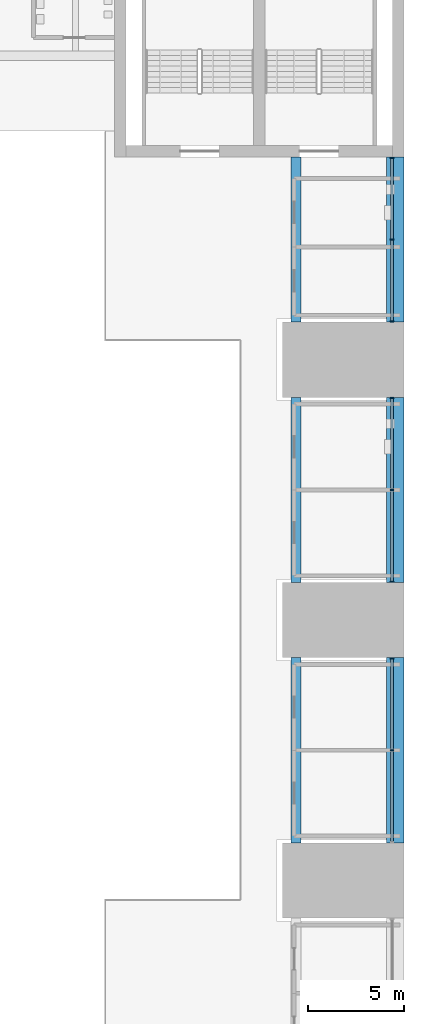
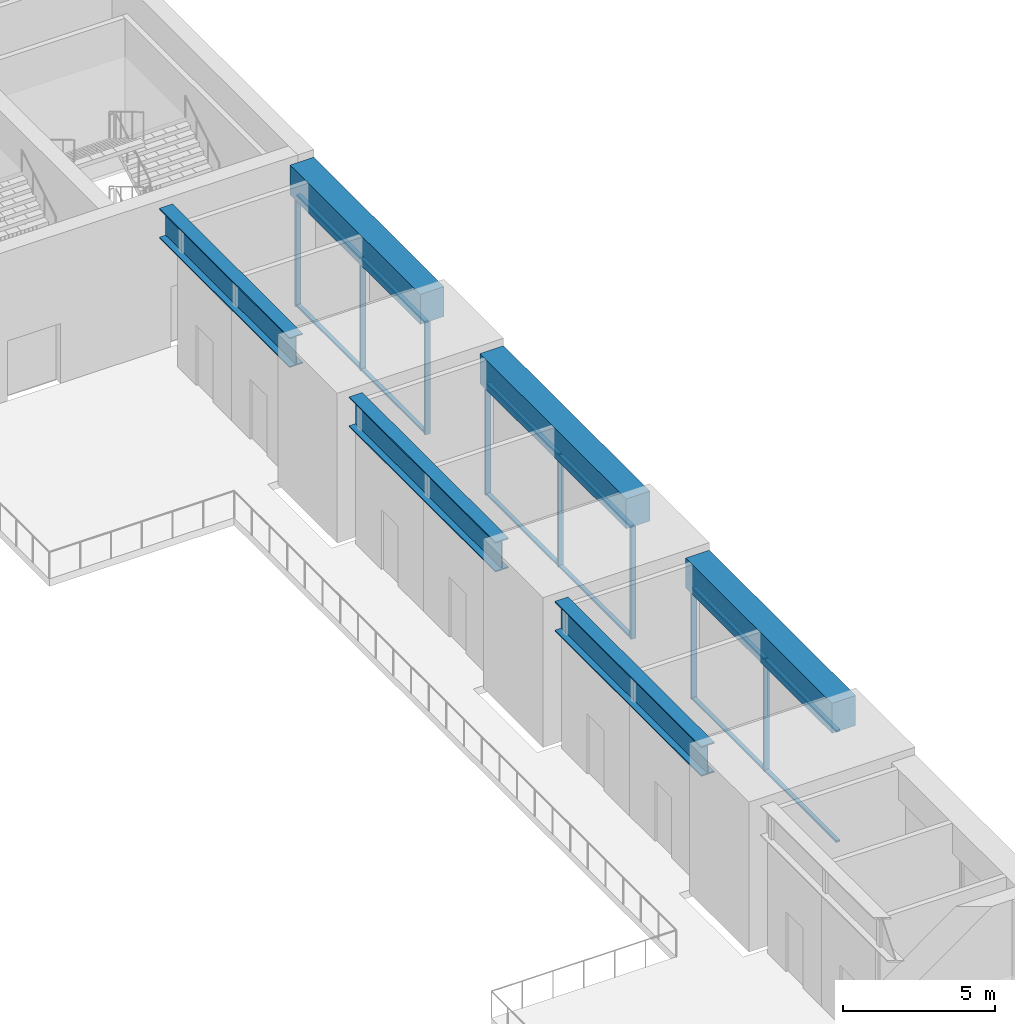
# One storey, part 7 of 41: 20 members, 6 beams, 3 elements without a shape of their own.
"""IFC4 building model written with IfcOpenShell, lengths in metres."""

from ifc_helpers import new_model, si_unit, direction, frame, origin, origin_2d, place, context, subcontext, project, spatial, rectangle, i_section, extrude, material, layer, layer_set, material_profile, profile_set, type_object, element, aggregate, save


model = new_model("IFC4")

# Units and contexts
model_context = context("Model", 3, precision=1e-05, world=origin(), true_north=direction((0.0, 1.0)))
body_context = subcontext(model_context, "Body", "Model", "MODEL_VIEW")
ifc_project = project(units=[si_unit("LENGTHUNIT", "METRE"), si_unit("AREAUNIT", "SQUARE_METRE"), si_unit("VOLUMEUNIT", "CUBIC_METRE"), si_unit("PLANEANGLEUNIT", "RADIAN"), si_unit("MASSUNIT", "GRAM", prefix="KILO")], contexts=[model_context])

# Site, building, storey
site_placement = place(None, origin())
site = spatial("IfcSite", under=ifc_project, at=site_placement, CompositionType="ELEMENT")
building_placement = place(site_placement, origin())
building = spatial("IfcBuilding", under=site, at=building_placement, Name="Corbelhall Arena Tower", CompositionType="ELEMENT")
storey_placement = place(building_placement, frame((0.0, 0.0, 19.0)))
storey = spatial("IfcBuildingStorey", under=building, at=storey_placement, Name="L02", CompositionType="ELEMENT", Elevation=19.0)

# Curtain wall, members
ifc_material_1 = material(Name="Aluminium black anodised", Category="aluminium")
ifc_layer = layer(ifc_material_1, 0.239990234375)
ifc_layer_set = layer_set([ifc_layer], Name="EV-CW4 Arena concourse glazing")
curtain_wall_type = type_object("IfcCurtainWallType", Name="EV-CW4 Arena concourse glazing", PredefinedType="NOTDEFINED", material=ifc_layer_set)
curtain_wall_1_placement = place(storey_placement, origin())
curtain_wall_1 = element("IfcCurtainWall", 1, at=curtain_wall_1_placement, inside=storey, type_object=curtain_wall_type, Name="Curtain wall CW4", PredefinedType="NOTDEFINED")
ifc_material_profile_1 = material_profile(ifc_material_1, rectangle(XDim=0.199951171875, YDim=0.074951171875, at=origin_2d()))
ifc_profile_set_1 = profile_set([ifc_material_profile_1], Name="Aluminium black anodised")
member_type_1 = type_object("IfcMemberType", Name="EV-CW4-MULLION", PredefinedType="MULLION", material=ifc_profile_set_1)
member_1_placement = place(storey_placement, frame((47.3798828125, -6.75, 0.0), z_axis=(0.0, 0.0, 1.0), x_axis=(-1.0, 0.0, 0.0)))
member_1 = element("IfcMember", 2, at=member_1_placement, type_object=member_type_1, Name="CW4 mullion 2", PredefinedType="MULLION", context=body_context, shape_type="SweptSolid", body=[
    extrude(rectangle(XDim=0.199951171875, YDim=0.074951171875, at=origin_2d()), origin(), (0.0, 0.0, 1.0), 4.5),
])
member_2_placement = place(storey_placement, frame((47.3798828125, -1.987548828125, 0.0), z_axis=(0.0, 0.0, 1.0), x_axis=(-1.0, 0.0, 0.0)))
member_2 = element("IfcMember", 3, at=member_2_placement, type_object=member_type_1, Name="CW4 mullion 3", PredefinedType="MULLION", context=body_context, shape_type="SweptSolid", body=[
    extrude(rectangle(XDim=0.199951171875, YDim=0.074951171875, at=origin_2d()), origin(), (0.0, 0.0, 1.0), 4.5),
])

curtain_wall_2_placement = place(storey_placement, origin())
curtain_wall_2 = element("IfcCurtainWall", 4, at=curtain_wall_2_placement, inside=storey, type_object=curtain_wall_type, Name="Curtain wall CW4", PredefinedType="NOTDEFINED")
member_3_placement = place(storey_placement, frame((47.3798828125, 1.987548828125, 0.0), z_axis=(0.0, 0.0, 1.0), x_axis=(-1.0, 0.0, 0.0)))
member_3 = element("IfcMember", 5, at=member_3_placement, type_object=member_type_1, Name="CW4 mullion 1", PredefinedType="MULLION", context=body_context, shape_type="SweptSolid", body=[
    extrude(rectangle(XDim=0.199951171875, YDim=0.074951171875, at=origin_2d()), origin(), (0.0, 0.0, 1.0), 4.5),
])
member_4_placement = place(storey_placement, frame((47.3798828125, 6.75, 0.0), z_axis=(0.0, 0.0, 1.0), x_axis=(-1.0, 0.0, 0.0)))
member_4 = element("IfcMember", 6, at=member_4_placement, type_object=member_type_1, Name="CW4 mullion 2", PredefinedType="MULLION", context=body_context, shape_type="SweptSolid", body=[
    extrude(rectangle(XDim=0.199951171875, YDim=0.074951171875, at=origin_2d()), origin(), (0.0, 0.0, 1.0), 4.5),
])
member_5_placement = place(storey_placement, frame((47.3798828125, 11.512451171875, 0.0), z_axis=(0.0, 0.0, 1.0), x_axis=(-1.0, 0.0, 0.0)))
member_5 = element("IfcMember", 7, at=member_5_placement, type_object=member_type_1, Name="CW4 mullion 3", PredefinedType="MULLION", context=body_context, shape_type="SweptSolid", body=[
    extrude(rectangle(XDim=0.199951171875, YDim=0.074951171875, at=origin_2d()), origin(), (0.0, 0.0, 1.0), 4.5),
])

curtain_wall_3_placement = place(storey_placement, origin())
curtain_wall_3 = element("IfcCurtainWall", 8, at=curtain_wall_3_placement, inside=storey, type_object=curtain_wall_type, Name="Curtain wall CW4B", PredefinedType="NOTDEFINED")
member_6_placement = place(storey_placement, frame((47.3798828125, 15.487548828125, 0.0), z_axis=(0.0, 0.0, 1.0), x_axis=(-1.0, 0.0, 0.0)))
member_6 = element("IfcMember", 9, at=member_6_placement, type_object=member_type_1, Name="CW4B mullion 1", PredefinedType="MULLION", context=body_context, shape_type="SweptSolid", body=[
    extrude(rectangle(XDim=0.199951171875, YDim=0.074951171875, at=origin_2d()), origin(), (0.0, 0.0, 1.0), 4.5),
])
member_7_placement = place(storey_placement, frame((47.3798828125, 19.72509765625, 0.0), z_axis=(0.0, 0.0, 1.0), x_axis=(-1.0, 0.0, 0.0)))
member_7 = element("IfcMember", 10, at=member_7_placement, type_object=member_type_1, Name="CW4B mullion 2", PredefinedType="MULLION", context=body_context, shape_type="SweptSolid", body=[
    extrude(rectangle(XDim=0.199951171875, YDim=0.074951171875, at=origin_2d()), origin(), (0.0, 0.0, 1.0), 4.5),
])
member_8_placement = place(storey_placement, frame((47.3798828125, 23.96240234375, 0.0), z_axis=(0.0, 0.0, 1.0), x_axis=(-1.0, 0.0, 0.0)))
member_8 = element("IfcMember", 11, at=member_8_placement, type_object=member_type_1, Name="CW4B mullion 3", PredefinedType="MULLION", context=body_context, shape_type="SweptSolid", body=[
    extrude(rectangle(XDim=0.199951171875, YDim=0.074951171875, at=origin_2d()), origin(), (0.0, 0.0, 1.0), 4.5),
])

# Member
ifc_material_profile_2 = material_profile(ifc_material_1, rectangle(XDim=0.14990234375, YDim=0.074951171875, at=origin_2d()))
ifc_profile_set_2 = profile_set([ifc_material_profile_2], Name="Aluminium black anodised")
member_type_2 = type_object("IfcMemberType", Name="EV-CW4-TRANSOM", PredefinedType="USERDEFINED", material=ifc_profile_set_2)
member_9_placement = place(storey_placement, frame((47.3798828125, -11.47509765625, 0.03759765625), z_axis=(0.0, 1.0, 0.0), x_axis=(-1.0, 0.0, 0.0)))
member_9 = element("IfcMember", 12, at=member_9_placement, type_object=member_type_2, Name="CW4 transom 1.1", ObjectType="transom", PredefinedType="USERDEFINED", context=body_context, shape_type="SweptSolid", body=[
    extrude(rectangle(XDim=0.14990234375, YDim=0.074951171875, at=origin_2d()), origin(), (0.0, 0.0, 1.0), 4.6875),
])

member_10_placement = place(storey_placement, frame((47.3798828125, -11.47509765625, 4.46240234375), z_axis=(0.0, 1.0, 0.0), x_axis=(-1.0, 0.0, 0.0)))
member_10 = element("IfcMember", 13, at=member_10_placement, type_object=member_type_2, Name="CW4 transom 1.2", ObjectType="transom", PredefinedType="USERDEFINED", context=body_context, shape_type="SweptSolid", body=[
    extrude(rectangle(XDim=0.14990234375, YDim=0.074951171875, at=origin_2d()), origin(), (0.0, 0.0, 1.0), 4.6875),
])

member_11_placement = place(storey_placement, frame((47.3798828125, -6.71240234375, 0.03759765625), z_axis=(0.0, 1.0, 0.0), x_axis=(-1.0, 0.0, 0.0)))
member_11 = element("IfcMember", 14, at=member_11_placement, type_object=member_type_2, Name="CW4 transom 2.1", ObjectType="transom", PredefinedType="USERDEFINED", context=body_context, shape_type="SweptSolid", body=[
    extrude(rectangle(XDim=0.14990234375, YDim=0.074951171875, at=origin_2d()), origin(), (0.0, 0.0, 1.0), 4.6875),
])

member_12_placement = place(storey_placement, frame((47.3798828125, -6.71240234375, 4.46240234375), z_axis=(0.0, 1.0, 0.0), x_axis=(-1.0, 0.0, 0.0)))
member_12 = element("IfcMember", 15, at=member_12_placement, type_object=member_type_2, Name="CW4 transom 2.2", ObjectType="transom", PredefinedType="USERDEFINED", context=body_context, shape_type="SweptSolid", body=[
    extrude(rectangle(XDim=0.14990234375, YDim=0.074951171875, at=origin_2d()), origin(), (0.0, 0.0, 1.0), 4.6875),
])

aggregate(curtain_wall_1, [member_1, member_2, member_9, member_10, member_11, member_12])

member_13_placement = place(storey_placement, frame((47.3798828125, 2.02490234375, 0.03759765625), z_axis=(0.0, 1.0, 0.0), x_axis=(-1.0, 0.0, 0.0)))
member_13 = element("IfcMember", 16, at=member_13_placement, type_object=member_type_2, Name="CW4 transom 1.1", ObjectType="transom", PredefinedType="USERDEFINED", context=body_context, shape_type="SweptSolid", body=[
    extrude(rectangle(XDim=0.14990234375, YDim=0.074951171875, at=origin_2d()), origin(), (0.0, 0.0, 1.0), 4.6875),
])

member_14_placement = place(storey_placement, frame((47.3798828125, 2.02490234375, 4.46240234375), z_axis=(0.0, 1.0, 0.0), x_axis=(-1.0, 0.0, 0.0)))
member_14 = element("IfcMember", 17, at=member_14_placement, type_object=member_type_2, Name="CW4 transom 1.2", ObjectType="transom", PredefinedType="USERDEFINED", context=body_context, shape_type="SweptSolid", body=[
    extrude(rectangle(XDim=0.14990234375, YDim=0.074951171875, at=origin_2d()), origin(), (0.0, 0.0, 1.0), 4.6875),
])

member_15_placement = place(storey_placement, frame((47.3798828125, 6.78759765625, 0.03759765625), z_axis=(0.0, 1.0, 0.0), x_axis=(-1.0, 0.0, 0.0)))
member_15 = element("IfcMember", 18, at=member_15_placement, type_object=member_type_2, Name="CW4 transom 2.1", ObjectType="transom", PredefinedType="USERDEFINED", context=body_context, shape_type="SweptSolid", body=[
    extrude(rectangle(XDim=0.14990234375, YDim=0.074951171875, at=origin_2d()), origin(), (0.0, 0.0, 1.0), 4.6875),
])

member_16_placement = place(storey_placement, frame((47.3798828125, 6.78759765625, 4.46240234375), z_axis=(0.0, 1.0, 0.0), x_axis=(-1.0, 0.0, 0.0)))
member_16 = element("IfcMember", 19, at=member_16_placement, type_object=member_type_2, Name="CW4 transom 2.2", ObjectType="transom", PredefinedType="USERDEFINED", context=body_context, shape_type="SweptSolid", body=[
    extrude(rectangle(XDim=0.14990234375, YDim=0.074951171875, at=origin_2d()), origin(), (0.0, 0.0, 1.0), 4.6875),
])

aggregate(curtain_wall_2, [member_3, member_4, member_5, member_13, member_14, member_15, member_16])

member_17_placement = place(storey_placement, frame((47.3798828125, 15.52490234375, 0.03759765625), z_axis=(0.0, 1.0, 0.0), x_axis=(-1.0, 0.0, 0.0)))
member_17 = element("IfcMember", 20, at=member_17_placement, type_object=member_type_2, Name="CW4B transom 1.1", ObjectType="transom", PredefinedType="USERDEFINED", context=body_context, shape_type="SweptSolid", body=[
    extrude(rectangle(XDim=0.14990234375, YDim=0.074951171875, at=origin_2d()), origin(), (0.0, 0.0, 1.0), 4.16259765625),
])

member_18_placement = place(storey_placement, frame((47.3798828125, 15.52490234375, 4.46240234375), z_axis=(0.0, 1.0, 0.0), x_axis=(-1.0, 0.0, 0.0)))
member_18 = element("IfcMember", 21, at=member_18_placement, type_object=member_type_2, Name="CW4B transom 1.2", ObjectType="transom", PredefinedType="USERDEFINED", context=body_context, shape_type="SweptSolid", body=[
    extrude(rectangle(XDim=0.14990234375, YDim=0.074951171875, at=origin_2d()), origin(), (0.0, 0.0, 1.0), 4.16259765625),
])

member_19_placement = place(storey_placement, frame((47.3798828125, 19.762451171875, 0.03759765625), z_axis=(0.0, 1.0, 0.0), x_axis=(-1.0, 0.0, 0.0)))
member_19 = element("IfcMember", 22, at=member_19_placement, type_object=member_type_2, Name="CW4B transom 2.1", ObjectType="transom", PredefinedType="USERDEFINED", context=body_context, shape_type="SweptSolid", body=[
    extrude(rectangle(XDim=0.14990234375, YDim=0.074951171875, at=origin_2d()), origin(), (0.0, 0.0, 1.0), 4.16259765625),
])

member_20_placement = place(storey_placement, frame((47.3798828125, 19.762451171875, 4.46240234375), z_axis=(0.0, 1.0, 0.0), x_axis=(-1.0, 0.0, 0.0)))
member_20 = element("IfcMember", 23, at=member_20_placement, type_object=member_type_2, Name="CW4B transom 2.2", ObjectType="transom", PredefinedType="USERDEFINED", context=body_context, shape_type="SweptSolid", body=[
    extrude(rectangle(XDim=0.14990234375, YDim=0.074951171875, at=origin_2d()), origin(), (0.0, 0.0, 1.0), 4.16259765625),
])

aggregate(curtain_wall_3, [member_6, member_7, member_8, member_17, member_18, member_19, member_20])

# Beams
ifc_material_2 = material(Name="Steel ASTM A572 Gr50", Category="steel")
ifc_material_profile_3 = material_profile(ifc_material_2, i_section(OverallWidth=0.5, OverallDepth=1.199951171875, WebThickness=0.02490234375, FlangeThickness=0.044921875, at=origin_2d()))
ifc_profile_set_3 = profile_set([ifc_material_profile_3], Name="Steel ASTM A572 Gr50")
beam_type_1 = type_object("IfcBeamType", Name="PO-GIRDER-PG1200X500X25X45", PredefinedType="BEAM", material=ifc_profile_set_3)
for number, where, z_axis, x_axis, name in (
    (24, (42.39990234375, -11.550048828125, 5.10009765625), (0.0, 1.0, 0.0), (-1.0, 0.0, 0.0), "INNER END GIRDER"),
    (25, (42.39990234375, 1.949951171875, 5.10009765625), (0.0, 1.0, 0.0), (-1.0, 0.0, 0.0), "INNER END GIRDER"),
):
    element("IfcBeam", number, at=place(storey_placement, frame(where, z_axis=z_axis, x_axis=x_axis)), inside=storey, type_object=beam_type_1, Name=name, PredefinedType="BEAM", context=body_context, shape_type="SweptSolid", body=[
        extrude(i_section(OverallWidth=0.5, OverallDepth=1.199951171875, WebThickness=0.02490234375, FlangeThickness=0.044921875, at=origin_2d()), origin(), (0.0, 0.0, 1.0), 9.60009765625),
    ])
beam_1_placement = place(storey_placement, frame((42.39990234375, 15.449951171875, 5.10009765625), z_axis=(0.0, 1.0, 0.0), x_axis=(-1.0, 0.0, 0.0)))
element("IfcBeam", 26, at=beam_1_placement, inside=storey, type_object=beam_type_1, Name="INNER END GIRDER", PredefinedType="BEAM", context=body_context, shape_type="SweptSolid", body=[
    extrude(i_section(OverallWidth=0.5, OverallDepth=1.199951171875, WebThickness=0.02490234375, FlangeThickness=0.044921875, at=origin_2d()), origin(), (0.0, 0.0, 1.0), 8.550048828125),
])
ifc_material_3 = material(Name="Concrete C80/95", Category="concrete")
ifc_material_profile_4 = material_profile(ifc_material_3, rectangle(XDim=0.89990234375, YDim=1.199951171875, at=origin_2d()))
ifc_profile_set_4 = profile_set([ifc_material_profile_4], Name="Concrete C80/95")
beam_type_2 = type_object("IfcBeamType", Name="PO-RING-BEAM", PredefinedType="BEAM", material=ifc_profile_set_4)
for number, where, z_axis, x_axis, name in (
    (27, (47.550048828125, -11.550048828125, 5.10009765625), (0.0, 1.0, 0.0), (-1.0, 0.0, 0.0), "RING GIRDER L03 E2"),
    (28, (47.550048828125, 1.949951171875, 5.10009765625), (0.0, 1.0, 0.0), (-1.0, 0.0, 0.0), "RING GIRDER L03 E3"),
):
    element("IfcBeam", number, at=place(storey_placement, frame(where, z_axis=z_axis, x_axis=x_axis)), inside=storey, type_object=beam_type_2, Name=name, PredefinedType="BEAM", context=body_context, shape_type="SweptSolid", body=[
        extrude(rectangle(XDim=0.89990234375, YDim=1.199951171875, at=origin_2d()), origin(), (0.0, 0.0, 1.0), 9.60009765625),
    ])
beam_2_placement = place(storey_placement, frame((47.550048828125, 15.449951171875, 5.10009765625), z_axis=(0.0, 1.0, 0.0), x_axis=(-1.0, 0.0, 0.0)))
element("IfcBeam", 29, at=beam_2_placement, inside=storey, type_object=beam_type_2, Name="RING GIRDER L03 E4", PredefinedType="BEAM", context=body_context, shape_type="SweptSolid", body=[
    extrude(rectangle(XDim=0.89990234375, YDim=1.199951171875, at=origin_2d()), origin(), (0.0, 0.0, 1.0), 8.550048828125),
])

save(model, "model.ifc")
